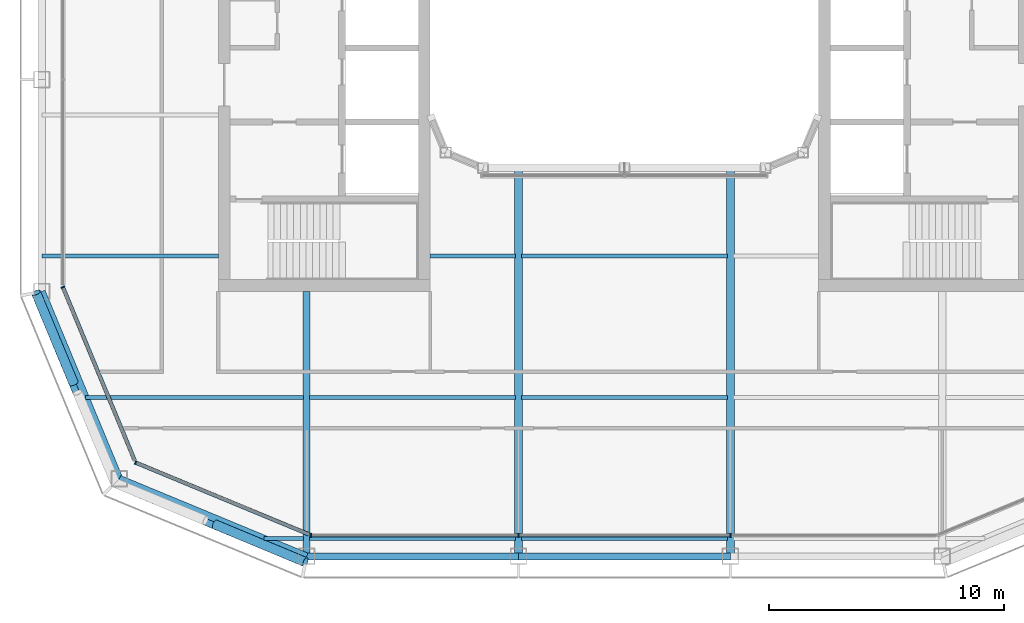
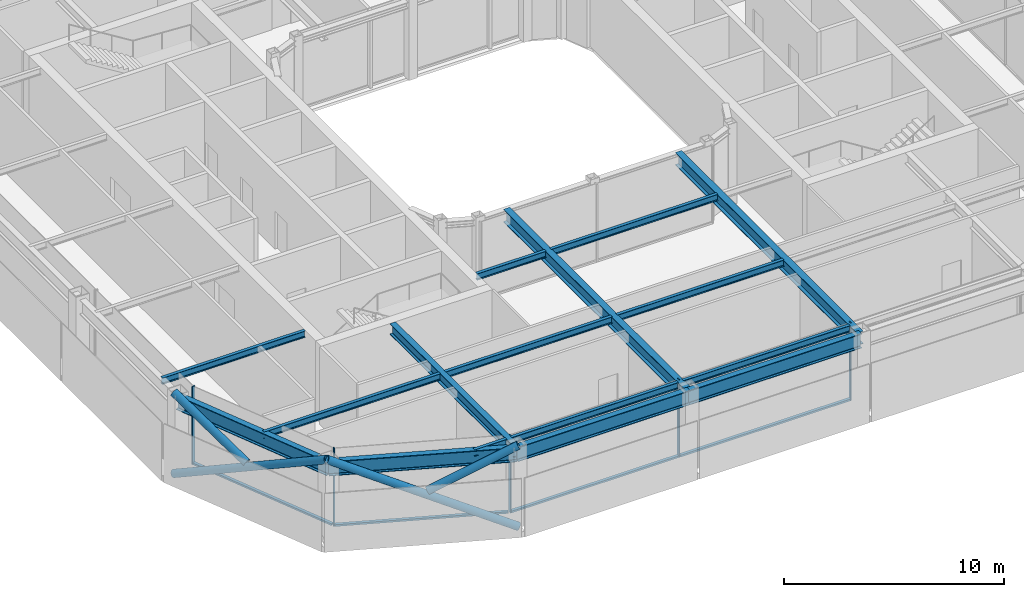
# One storey, part 3 of 21: 16 beams, 13 members, 3 elements without a shape of their own.
"""IFC4 building model written with IfcOpenShell, lengths in metres."""

from ifc_helpers import new_model, si_unit, direction, frame, origin, origin_2d, place, context, subcontext, project, spatial, rectangle, hollow_circle, i_section, extrude, material, layer, layer_set, material_profile, profile_set, type_object, element, aggregate, save


model = new_model("IFC4")

# Units and contexts
model_context = context("Model", 3, precision=1e-05, world=origin(), true_north=direction((0.0, 1.0)))
body_context = subcontext(model_context, "Body", "Model", "MODEL_VIEW")
ifc_project = project(units=[si_unit("LENGTHUNIT", "METRE"), si_unit("AREAUNIT", "SQUARE_METRE"), si_unit("VOLUMEUNIT", "CUBIC_METRE"), si_unit("PLANEANGLEUNIT", "RADIAN"), si_unit("MASSUNIT", "GRAM", prefix="KILO")], contexts=[model_context])

# Site, building, storey
site_placement = place(None, origin())
site = spatial("IfcSite", under=ifc_project, at=site_placement, CompositionType="ELEMENT")
building_placement = place(site_placement, origin())
building = spatial("IfcBuilding", under=site, at=building_placement, Name="Siwar Civic Tower", CompositionType="ELEMENT")
storey_placement = place(building_placement, frame((0.0, 0.0, 343.699951171875)))
storey = spatial("IfcBuildingStorey", under=building, at=storey_placement, Name="L74", CompositionType="ELEMENT", Elevation=343.699951171875)

# Curtain wall, members
ifc_material_1 = material(Name="Aluminium and glass", Category="aluminium")
ifc_layer_1 = layer(ifc_material_1, 0.159912109375)
ifc_layer_set_1 = layer_set([ifc_layer_1], Name="Aluminium and glass")
curtain_wall_type_1 = type_object("IfcCurtainWallType", Name="ENV-CW-D", PredefinedType="NOTDEFINED", material=ifc_layer_set_1)
curtain_wall_1_placement = place(storey_placement, origin())
curtain_wall_1 = element("IfcCurtainWall", 1, at=curtain_wall_1_placement, inside=storey, type_object=curtain_wall_type_1, Name="Curtain wall D S", PredefinedType="NOTDEFINED")
ifc_material_2 = material(Name="Aluminium 6063-T6", Category="aluminium")
ifc_material_profile_1 = material_profile(ifc_material_2, rectangle(XDim=0.159912109375, YDim=0.06005859375, at=origin_2d()), Name="AL 160x60")
ifc_profile_set_1 = profile_set([ifc_material_profile_1], Name="Aluminium 6063-T6")
member_type_1 = type_object("IfcMemberType", Name="ENV-MULLION-D", PredefinedType="MULLION", material=ifc_profile_set_1)
member_1_placement = place(storey_placement, frame((-13.321044921875, -23.85009765625, 0.0), z_axis=(0.0, 0.0, 1.0), x_axis=(0.0, 1.0, 0.0)))
member_1 = element("IfcMember", 2, at=member_1_placement, type_object=member_type_1, Name="Mullion D S 1", PredefinedType="MULLION", context=body_context, shape_type="SweptSolid", body=[
    extrude(rectangle(XDim=0.159912109375, YDim=0.06005859375, at=origin_2d()), origin(), (0.0, 0.0, 1.0), 4.300048828125),
])
member_2_placement = place(storey_placement, frame((-4.5, -23.85009765625, 0.0), z_axis=(0.0, 0.0, 1.0), x_axis=(0.0, 1.0, 0.0)))
member_2 = element("IfcMember", 3, at=member_2_placement, type_object=member_type_1, Name="Mullion D S 2", PredefinedType="MULLION", context=body_context, shape_type="SweptSolid", body=[
    extrude(rectangle(XDim=0.159912109375, YDim=0.06005859375, at=origin_2d()), origin(), (0.0, 0.0, 1.0), 4.300048828125),
])
member_3_placement = place(storey_placement, frame((4.5, -23.85009765625, 0.0), z_axis=(0.0, 0.0, 1.0), x_axis=(0.0, 1.0, 0.0)))
member_3 = element("IfcMember", 4, at=member_3_placement, type_object=member_type_1, Name="Mullion D S 3", PredefinedType="MULLION", context=body_context, shape_type="SweptSolid", body=[
    extrude(rectangle(XDim=0.159912109375, YDim=0.06005859375, at=origin_2d()), origin(), (0.0, 0.0, 1.0), 4.300048828125),
])

# Curtain wall, member
ifc_material_3 = material(Name="Aluminium clad insulated panel", Category="aluminium")
ifc_layer_2 = layer(ifc_material_3, 0.159912109375)
ifc_layer_set_2 = layer_set([ifc_layer_2], Name="Aluminium clad insulated panel")
curtain_wall_type_2 = type_object("IfcCurtainWallType", Name="ENV-CW-DX", PredefinedType="NOTDEFINED", material=ifc_layer_set_2)
curtain_wall_2_placement = place(storey_placement, origin())
curtain_wall_2 = element("IfcCurtainWall", 5, at=curtain_wall_2_placement, inside=storey, type_object=curtain_wall_type_2, Name="Curtain wall D SW1", PredefinedType="NOTDEFINED")
member_4_placement = place(storey_placement, frame((-23.85009765625, -13.321044921875, 0.0), z_axis=(0.0, 0.0, 1.0), x_axis=(0.923879532511, 0.382683432365, 0.0)))
member_4 = element("IfcMember", 6, at=member_4_placement, type_object=member_type_1, Name="Mullion D SW1 1", PredefinedType="MULLION", context=body_context, shape_type="SweptSolid", body=[
    extrude(rectangle(XDim=0.159912109375, YDim=0.06005859375, at=origin_2d()), origin(), (0.0, 0.0, 1.0), 4.300048828125),
])

curtain_wall_3_placement = place(storey_placement, origin())
curtain_wall_3 = element("IfcCurtainWall", 7, at=curtain_wall_3_placement, inside=storey, type_object=curtain_wall_type_2, Name="Curtain wall D SW2", PredefinedType="NOTDEFINED")
member_5_placement = place(storey_placement, frame((-20.76611328125, -20.76611328125, 0.0), z_axis=(0.0, 0.0, 1.0), x_axis=(0.382683432365, 0.923879532511, 0.0)))
member_5 = element("IfcMember", 8, at=member_5_placement, type_object=member_type_1, Name="Mullion D SW2 1", PredefinedType="MULLION", context=body_context, shape_type="SweptSolid", body=[
    extrude(rectangle(XDim=0.159912109375, YDim=0.06005859375, at=origin_2d()), origin(), (0.0, 0.0, 1.0), 4.300048828125),
])

# Member
ifc_material_4 = material(Name="Aluminium 6063-T6", Category="aluminium")
ifc_material_profile_2 = material_profile(ifc_material_4, rectangle(XDim=0.159912109375, YDim=0.10009765625, at=origin_2d()), Name="AL 160x100")
ifc_profile_set_2 = profile_set([ifc_material_profile_2], Name="Aluminium 6063-T6")
member_type_2 = type_object("IfcMemberType", Name="ENV-TRANSOM-D", PredefinedType="USERDEFINED", material=ifc_profile_set_2)
member_6_placement = place(storey_placement, frame((-13.291015625, -23.85009765625, 0.050048828125), z_axis=(1.0, 0.0, 0.0), x_axis=(0.0, 1.0, 0.0)))
member_6 = element("IfcMember", 9, at=member_6_placement, type_object=member_type_2, Name="Transom D S 1", ObjectType="TRANSOM", PredefinedType="USERDEFINED", context=body_context, shape_type="SweptSolid", body=[
    extrude(rectangle(XDim=0.159912109375, YDim=0.10009765625, at=origin_2d()), origin(), (0.0, 0.0, 1.0), 8.760986328125),
])

member_7_placement = place(storey_placement, frame((-4.469970703125, -23.85009765625, 0.050048828125), z_axis=(1.0, 0.0, 0.0), x_axis=(0.0, 1.0, 0.0)))
member_7 = element("IfcMember", 10, at=member_7_placement, type_object=member_type_2, Name="Transom D S 2", ObjectType="TRANSOM", PredefinedType="USERDEFINED", context=body_context, shape_type="SweptSolid", body=[
    extrude(rectangle(XDim=0.159912109375, YDim=0.10009765625, at=origin_2d()), origin(), (0.0, 0.0, 1.0), 8.93994140625),
])

aggregate(curtain_wall_1, [member_1, member_2, member_3, member_6, member_7])

member_8_placement = place(storey_placement, frame((-23.838623046875, -13.3486328125, 0.050048828125), z_axis=(0.382699790424, -0.923872756612, 0.0), x_axis=(0.923872756612, 0.382699790424, 0.0)))
member_8 = element("IfcMember", 11, at=member_8_placement, type_object=member_type_2, Name="Transom D SW1 1", ObjectType="TRANSOM", PredefinedType="USERDEFINED", context=body_context, shape_type="SweptSolid", body=[
    extrude(rectangle(XDim=0.159912109375, YDim=0.10009765625, at=origin_2d()), origin(), (0.0, 0.0, 1.0), 7.930908203125),
])

aggregate(curtain_wall_2, [member_4, member_8])

member_9_placement = place(storey_placement, frame((-20.738525390625, -20.777587890625, 0.050048828125), z_axis=(0.923883640343, -0.382673515031, 0.0), x_axis=(0.382673515031, 0.923883640343, 0.0)))
member_9 = element("IfcMember", 12, at=member_9_placement, type_object=member_type_2, Name="Transom D SW2 1", ObjectType="TRANSOM", PredefinedType="USERDEFINED", context=body_context, shape_type="SweptSolid", body=[
    extrude(rectangle(XDim=0.159912109375, YDim=0.10009765625, at=origin_2d()), origin(), (0.0, 0.0, 1.0), 7.930908203125),
])

aggregate(curtain_wall_3, [member_5, member_9])

# Members
ifc_material_5 = material(Name="Steel S355", Category="steel")
ifc_material_profile_3 = material_profile(ifc_material_5, hollow_circle(Radius=0.203125, WallThickness=0.01611328125, at=origin_2d()), Name="CHS406.4x16")
ifc_profile_set_3 = profile_set([ifc_material_profile_3], Name="Steel S355")
member_type_3 = type_object("IfcMemberType", Name="STR-BR-CHS406.4x16", PredefinedType="BRACE", material=ifc_profile_set_3)
member_10_placement = place(storey_placement, frame((-13.548828125, -24.9951171875, 0.0), z_axis=(-0.821142553604, 0.341671493852, 0.457149315816), x_axis=(-0.384163874976, -0.923264922524, 0.0)))
element("IfcMember", 13, at=member_10_placement, inside=storey, type_object=member_type_3, Name="L74/brc/DSW1-13-0-1", PredefinedType="BRACE", context=body_context, shape_type="SweptSolid", body=[
    extrude(hollow_circle(Radius=0.203125, WallThickness=0.01611328125, at=origin_2d()), origin(), (0.0, 0.0, 1.0), 9.843505859375),
])
member_11_placement = place(storey_placement, frame((-17.38916015625, -23.397216796875, 2.362060546875), z_axis=(0.821149689876, -0.341667178655, 0.457139722456), x_axis=(0.384156893273, 0.923267827529, 0.0)))
element("IfcMember", 14, at=member_11_placement, inside=storey, type_object=member_type_3, Name="L74/brc/DSW1-13-0-3", PredefinedType="BRACE", context=body_context, shape_type="SweptSolid", body=[
    extrude(hollow_circle(Radius=0.203125, WallThickness=0.01611328125, at=origin_2d()), origin(), (0.0, 0.0, 1.0), 4.6767578125),
])
member_12_placement = place(storey_placement, frame((-24.9951171875, -13.548828125, 0.0), z_axis=(0.341671493852, -0.821142553604, 0.457149315816), x_axis=(0.923264922524, 0.384163874976, 0.0)))
element("IfcMember", 15, at=member_12_placement, inside=storey, type_object=member_type_3, Name="L74/brc/DSW1-13-0-0", PredefinedType="BRACE", context=body_context, shape_type="SweptSolid", body=[
    extrude(hollow_circle(Radius=0.203125, WallThickness=0.01611328125, at=origin_2d()), origin(), (0.0, 0.0, 1.0), 9.843505859375),
])
member_13_placement = place(storey_placement, frame((-23.397216796875, -17.38916015625, 2.362060546875), z_axis=(-0.341667178655, 0.821149689876, 0.457139722456), x_axis=(-0.923267827529, -0.384156893273, 0.0)))
element("IfcMember", 16, at=member_13_placement, inside=storey, type_object=member_type_3, Name="L74/brc/DSW1-13-0-5", PredefinedType="BRACE", context=body_context, shape_type="SweptSolid", body=[
    extrude(hollow_circle(Radius=0.203125, WallThickness=0.01611328125, at=origin_2d()), origin(), (0.0, 0.0, 1.0), 4.6767578125),
])

# Beams
ifc_material_6 = material(Name="Steel S355", Category="steel")
ifc_material_profile_4 = material_profile(ifc_material_6, i_section(OverallWidth=0.169921875, OverallDepth=0.360107421875, WebThickness=0.008056640625, FlangeThickness=0.0126953125, FilletRadius=0.01806640625, at=origin_2d()), Name="IPE360")
ifc_profile_set_4 = profile_set([ifc_material_profile_4], Name="Steel S355")
beam_type_1 = type_object("IfcBeamType", Name="STR-FB-IPE360", PredefinedType="JOIST", material=ifc_profile_set_4)
beam_1_placement = place(storey_placement, frame((-15.310546875, -24.0, 4.1201171875), z_axis=(1.0, 0.0, 0.0), x_axis=(0.0, 1.0, 0.0)))
element("IfcBeam", 17, at=beam_1_placement, inside=storey, type_object=beam_type_1, Name="L74/bm/F001", PredefinedType="JOIST", context=body_context, shape_type="SweptSolid", body=[
    extrude(i_section(OverallWidth=0.169921875, OverallDepth=0.360107421875, WebThickness=0.008056640625, FlangeThickness=0.0126953125, FilletRadius=0.01806640625, at=origin_2d()), origin(), (0.0, 0.0, 1.0), 1.6806640625),
])
for number, where, z_axis, x_axis, name in (
    (18, (-13.3701171875, -24.0, 4.1201171875), (1.0, 0.0, 0.0), (0.0, 1.0, 0.0), "L74/bm/F002"),
    (19, (-4.3701171875, -24.0, 4.1201171875), (1.0, 0.0, 0.0), (0.0, 1.0, 0.0), "L74/bm/F003"),
):
    element("IfcBeam", number, at=place(storey_placement, frame(where, z_axis=z_axis, x_axis=x_axis)), inside=storey, type_object=beam_type_1, Name=name, PredefinedType="JOIST", context=body_context, shape_type="SweptSolid", body=[
        extrude(i_section(OverallWidth=0.169921875, OverallDepth=0.360107421875, WebThickness=0.008056640625, FlangeThickness=0.0126953125, FilletRadius=0.01806640625, at=origin_2d()), origin(), (0.0, 0.0, 1.0), 8.740234375),
    ])
beam_2_placement = place(storey_placement, frame((-22.885986328125, -18.0, 4.1201171875), z_axis=(1.0, 0.0, 0.0), x_axis=(0.0, 1.0, 0.0)))
element("IfcBeam", 20, at=beam_2_placement, inside=storey, type_object=beam_type_1, Name="L74/bm/F006", PredefinedType="JOIST", context=body_context, shape_type="SweptSolid", body=[
    extrude(i_section(OverallWidth=0.169921875, OverallDepth=0.360107421875, WebThickness=0.008056640625, FlangeThickness=0.0126953125, FilletRadius=0.01806640625, at=origin_2d()), origin(), (0.0, 0.0, 1.0), 9.256103515625),
])
for number, where, z_axis, x_axis, name in (
    (21, (-13.3701171875, -18.0, 4.1201171875), (1.0, 0.0, 0.0), (0.0, 1.0, 0.0), "L74/bm/F007"),
    (22, (-4.3701171875, -18.0, 4.1201171875), (1.0, 0.0, 0.0), (0.0, 1.0, 0.0), "L74/bm/F008"),
):
    element("IfcBeam", number, at=place(storey_placement, frame(where, z_axis=z_axis, x_axis=x_axis)), inside=storey, type_object=beam_type_1, Name=name, PredefinedType="JOIST", context=body_context, shape_type="SweptSolid", body=[
        extrude(i_section(OverallWidth=0.169921875, OverallDepth=0.360107421875, WebThickness=0.008056640625, FlangeThickness=0.0126953125, FilletRadius=0.01806640625, at=origin_2d()), origin(), (0.0, 0.0, 1.0), 8.740234375),
    ])
beam_3_placement = place(storey_placement, frame((-24.75, -12.0, 4.1201171875), z_axis=(1.0, 0.0, 0.0), x_axis=(0.0, 1.0, 0.0)))
element("IfcBeam", 23, at=beam_3_placement, inside=storey, type_object=beam_type_1, Name="L74/bm/F011", PredefinedType="JOIST", context=body_context, shape_type="SweptSolid", body=[
    extrude(i_section(OverallWidth=0.169921875, OverallDepth=0.360107421875, WebThickness=0.008056640625, FlangeThickness=0.0126953125, FilletRadius=0.01806640625, at=origin_2d()), origin(), (0.0, 0.0, 1.0), 7.5),
])
beam_4_placement = place(storey_placement, frame((-8.25, -12.0, 4.1201171875), z_axis=(1.0, 0.0, 0.0), x_axis=(0.0, 1.0, 0.0)))
element("IfcBeam", 24, at=beam_4_placement, inside=storey, type_object=beam_type_1, Name="L74/bm/F012", PredefinedType="JOIST", context=body_context, shape_type="SweptSolid", body=[
    extrude(i_section(OverallWidth=0.169921875, OverallDepth=0.360107421875, WebThickness=0.008056640625, FlangeThickness=0.0126953125, FilletRadius=0.01806640625, at=origin_2d()), origin(), (0.0, 0.0, 1.0), 3.6201171875),
])
beam_5_placement = place(storey_placement, frame((-4.3701171875, -12.0, 4.1201171875), z_axis=(1.0, 0.0, 0.0), x_axis=(0.0, 1.0, 0.0)))
element("IfcBeam", 25, at=beam_5_placement, inside=storey, type_object=beam_type_1, Name="L74/bm/F013", PredefinedType="JOIST", context=body_context, shape_type="SweptSolid", body=[
    extrude(i_section(OverallWidth=0.169921875, OverallDepth=0.360107421875, WebThickness=0.008056640625, FlangeThickness=0.0126953125, FilletRadius=0.01806640625, at=origin_2d()), origin(), (0.0, 0.0, 1.0), 8.740234375),
])
ifc_material_7 = material(Name="Steel S355", Category="steel")
ifc_material_profile_5 = material_profile(ifc_material_7, i_section(OverallWidth=0.300048828125, OverallDepth=0.60009765625, WebThickness=0.015380859375, FlangeThickness=0.030029296875, FilletRadius=0.027099609375, at=origin_2d()), Name="HEB600")
ifc_profile_set_5 = profile_set([ifc_material_profile_5], Name="Steel S355")
beam_type_2 = type_object("IfcBeamType", Name="STR-PG-HEB600", PredefinedType="BEAM", material=ifc_profile_set_5)
beam_6_placement = place(storey_placement, frame((-13.5, -24.75, 4.0), z_axis=(0.0, 1.0, 0.0), x_axis=(-1.0, 0.0, 0.0)))
element("IfcBeam", 26, at=beam_6_placement, inside=storey, type_object=beam_type_2, Name="L74/bm/G01", PredefinedType="BEAM", context=body_context, shape_type="SweptSolid", body=[
    extrude(i_section(OverallWidth=0.300048828125, OverallDepth=0.60009765625, WebThickness=0.015380859375, FlangeThickness=0.030029296875, FilletRadius=0.027099609375, at=origin_2d()), origin(), (0.0, 0.0, 1.0), 11.25),
])
ifc_material_8 = material(Name="Steel S355", Category="steel")
ifc_material_profile_6 = material_profile(ifc_material_8, i_section(OverallWidth=0.340087890625, OverallDepth=0.699951171875, WebThickness=0.013916015625, FlangeThickness=0.030029296875, at=origin_2d()), Name="PG700x340x14x30")
ifc_profile_set_6 = profile_set([ifc_material_profile_6], Name="Steel S355")
beam_type_3 = type_object("IfcBeamType", Name="STR-PG-PG700x340x14x30", PredefinedType="BEAM", material=ifc_profile_set_6)
for number, where, z_axis, x_axis, name in (
    (27, (-4.5, -24.75, 3.949951171875), (0.0, 1.0, 0.0), (-1.0, 0.0, 0.0), "L74/bm/G03"),
    (28, (4.5, -24.75, 3.949951171875), (0.0, 1.0, 0.0), (-1.0, 0.0, 0.0), "L74/bm/G05"),
):
    element("IfcBeam", number, at=place(storey_placement, frame(where, z_axis=z_axis, x_axis=x_axis)), inside=storey, type_object=beam_type_3, Name=name, PredefinedType="BEAM", context=body_context, shape_type="SweptSolid", body=[
        extrude(i_section(OverallWidth=0.340087890625, OverallDepth=0.699951171875, WebThickness=0.013916015625, FlangeThickness=0.030029296875, at=origin_2d()), origin(), (0.0, 0.0, 1.0), 16.5),
    ])
ifc_material_9 = material(Name="Steel S355", Category="steel")
ifc_material_profile_7 = material_profile(ifc_material_9, i_section(OverallWidth=0.300048828125, OverallDepth=0.800048828125, WebThickness=0.017578125, FlangeThickness=0.032958984375, FilletRadius=0.030029296875, at=origin_2d()), Name="HEB800")
ifc_profile_set_7 = profile_set([ifc_material_profile_7], Name="Steel S355")
beam_type_4 = type_object("IfcBeamType", Name="STR-SB-HEB800", PredefinedType="BEAM", material=ifc_profile_set_7)
for number, where, z_axis, x_axis, name in (
    (29, (-13.5, -24.75, 3.900146484375), (1.0, 0.0, 0.0), (0.0, 1.0, 0.0), "L74/bm/SS-0"),
    (30, (-4.5, -24.75, 3.900146484375), (1.0, 0.0, 0.0), (0.0, 1.0, 0.0), "L74/bm/SS-1"),
):
    element("IfcBeam", number, at=place(storey_placement, frame(where, z_axis=z_axis, x_axis=x_axis)), inside=storey, type_object=beam_type_4, Name=name, PredefinedType="BEAM", context=body_context, shape_type="SweptSolid", body=[
        extrude(i_section(OverallWidth=0.300048828125, OverallDepth=0.800048828125, WebThickness=0.017578125, FlangeThickness=0.032958984375, FilletRadius=0.030029296875, at=origin_2d()), origin(), (0.0, 0.0, 1.0), 9.0),
    ])
for number, where, z_axis, x_axis, name in (
    (31, (-24.75, -13.5, 3.900146484375), (0.382699877515, -0.923872720536, 0.0), (0.923872720536, 0.382699877515, 0.0), "L74/bm/SSW1-0"),
    (32, (-21.454833984375, -21.454833984375, 3.900146484375), (0.923872720536, -0.382699877515, 0.0), (0.382699877515, 0.923872720536, 0.0), "L74/bm/SSW2-0"),
):
    element("IfcBeam", number, at=place(storey_placement, frame(where, z_axis=z_axis, x_axis=x_axis)), inside=storey, type_object=beam_type_4, Name=name, PredefinedType="BEAM", context=body_context, shape_type="SweptSolid", body=[
        extrude(i_section(OverallWidth=0.300048828125, OverallDepth=0.800048828125, WebThickness=0.017578125, FlangeThickness=0.032958984375, FilletRadius=0.030029296875, at=origin_2d()), origin(), (0.0, 0.0, 1.0), 8.6103515625),
    ])

save(model, "model.ifc")
